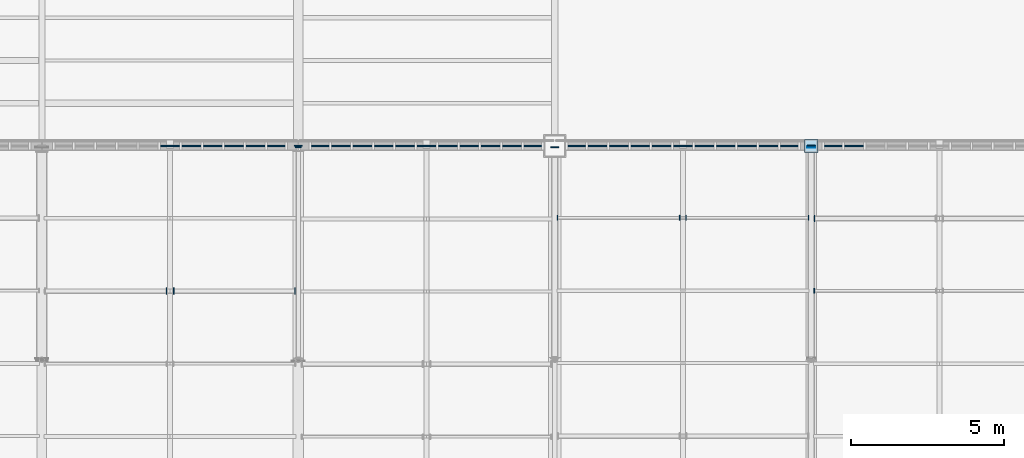
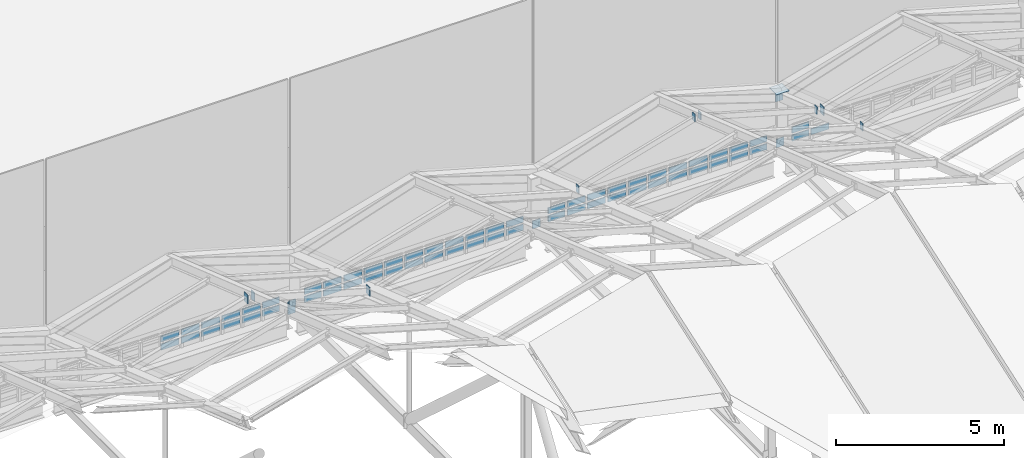
# One storey, part 67 of 77: 74 plates, 4 elements without a shape of their own.
"""IFC4 building model written with IfcOpenShell, lengths in metres."""

from ifc_helpers import new_model, si_unit, direction, frame, origin, origin_2d, place, context, subcontext, project, spatial, rectangle, extrude, material, layer, layer_set, type_object, element, aggregate, save


model = new_model("IFC4")

# Units and contexts
model_context = context("Model", 3, precision=1e-05, world=origin(), true_north=direction((0.0, 1.0)))
body_context = subcontext(model_context, "Body", "Model", "MODEL_VIEW")
ifc_project = project(units=[si_unit("LENGTHUNIT", "METRE"), si_unit("AREAUNIT", "SQUARE_METRE"), si_unit("VOLUMEUNIT", "CUBIC_METRE"), si_unit("PLANEANGLEUNIT", "RADIAN"), si_unit("MASSUNIT", "GRAM", prefix="KILO")], contexts=[model_context])

# Site, building, storey
site_placement = place(None, origin())
site = spatial("IfcSite", under=ifc_project, at=site_placement, CompositionType="ELEMENT")
building_placement = place(site_placement, origin())
building = spatial("IfcBuilding", under=site, at=building_placement, Name="Larkvane Passage Sports Hall", CompositionType="ELEMENT")
storey_placement = place(building_placement, frame((0.0, 0.0, 22.199951171875)))
storey = spatial("IfcBuildingStorey", under=building, at=storey_placement, Name="RF", CompositionType="ELEMENT", Elevation=22.199951171875)

# Curtain wall, plates
ifc_material_1 = material(Name="Thermally broken aluminium and low-E glazing", Category="aluminium")
curtain_wall_type = type_object("IfcCurtainWallType", Name="CW-CLER-N", PredefinedType="USERDEFINED", material=ifc_material_1)
curtain_wall_1_placement = place(storey_placement, origin())
curtain_wall_1 = element("IfcCurtainWall", 1, at=curtain_wall_1_placement, inside=storey, type_object=curtain_wall_type, Name="Curtain wall CW5-RF-CLER-4", ObjectType="STICK CURTAIN WALL", PredefinedType="USERDEFINED")
ifc_material_2 = material(Name="High-impact court low-E glazing", Category="glass")
ifc_layer_1 = layer(ifc_material_2, 0.035888671875)
ifc_layer_set_1 = layer_set([ifc_layer_1], Name="High-impact court low-E glazing")
plate_type_1 = type_object("IfcPlateType", Name="CWP-VIS-36", PredefinedType="CURTAIN_PANEL", material=ifc_layer_set_1)
plate_1_placement = place(storey_placement, frame((67.679931640625, 75.60009765625, 0.0751953125), z_axis=(0.0, 0.0, 1.0), x_axis=(-1.0, 0.0, 0.0)))
plate_1 = element("IfcPlate", 2, at=plate_1_placement, type_object=plate_type_1, Name="CW-04 panel 1.1", PredefinedType="CURTAIN_PANEL", context=body_context, shape_type="SweptSolid", body=[
    extrude(rectangle(XDim=0.580078125, YDim=0.035888671875, at=origin_2d()), origin(), (0.0, 0.0, 1.0), 0.217529296875),
])
plate_2_placement = place(storey_placement, frame((67.679931640625, 75.60009765625, 0.36767578125), z_axis=(0.0, 0.0, 1.0), x_axis=(-1.0, 0.0, 0.0)))
plate_2 = element("IfcPlate", 3, at=plate_2_placement, type_object=plate_type_1, Name="CW-04 panel 1.2", PredefinedType="CURTAIN_PANEL", context=body_context, shape_type="SweptSolid", body=[
    extrude(rectangle(XDim=0.580078125, YDim=0.035888671875, at=origin_2d()), origin(), (0.0, 0.0, 1.0), 0.217529296875),
])
plate_3_placement = place(storey_placement, frame((67.0, 75.60009765625, 0.0751953125), z_axis=(0.0, 0.0, 1.0), x_axis=(-1.0, 0.0, 0.0)))
plate_3 = element("IfcPlate", 4, at=plate_3_placement, type_object=plate_type_1, Name="CW-04 panel 2.1", PredefinedType="CURTAIN_PANEL", context=body_context, shape_type="SweptSolid", body=[
    extrude(rectangle(XDim=0.6201171875, YDim=0.035888671875, at=origin_2d()), origin(), (0.0, 0.0, 1.0), 0.217529296875),
])
plate_4_placement = place(storey_placement, frame((67.0, 75.60009765625, 0.36767578125), z_axis=(0.0, 0.0, 1.0), x_axis=(-1.0, 0.0, 0.0)))
plate_4 = element("IfcPlate", 5, at=plate_4_placement, type_object=plate_type_1, Name="CW-04 panel 2.2", PredefinedType="CURTAIN_PANEL", context=body_context, shape_type="SweptSolid", body=[
    extrude(rectangle(XDim=0.6201171875, YDim=0.035888671875, at=origin_2d()), origin(), (0.0, 0.0, 1.0), 0.217529296875),
])
plate_5_placement = place(storey_placement, frame((66.300048828125, 75.60009765625, 0.0751953125), z_axis=(0.0, 0.0, 1.0), x_axis=(-1.0, 0.0, 0.0)))
plate_5 = element("IfcPlate", 6, at=plate_5_placement, type_object=plate_type_1, Name="CW-04 panel 3.1", PredefinedType="CURTAIN_PANEL", context=body_context, shape_type="SweptSolid", body=[
    extrude(rectangle(XDim=0.6201171875, YDim=0.035888671875, at=origin_2d()), origin(), (0.0, 0.0, 1.0), 0.217529296875),
])
plate_6_placement = place(storey_placement, frame((66.300048828125, 75.60009765625, 0.36767578125), z_axis=(0.0, 0.0, 1.0), x_axis=(-1.0, 0.0, 0.0)))
plate_6 = element("IfcPlate", 7, at=plate_6_placement, type_object=plate_type_1, Name="CW-04 panel 3.2", PredefinedType="CURTAIN_PANEL", context=body_context, shape_type="SweptSolid", body=[
    extrude(rectangle(XDim=0.6201171875, YDim=0.035888671875, at=origin_2d()), origin(), (0.0, 0.0, 1.0), 0.217529296875),
])
plate_7_placement = place(storey_placement, frame((65.60009765625, 75.60009765625, 0.0751953125), z_axis=(0.0, 0.0, 1.0), x_axis=(-1.0, 0.0, 0.0)))
plate_7 = element("IfcPlate", 8, at=plate_7_placement, type_object=plate_type_1, Name="CW-04 panel 4.1", PredefinedType="CURTAIN_PANEL", context=body_context, shape_type="SweptSolid", body=[
    extrude(rectangle(XDim=0.6201171875, YDim=0.035888671875, at=origin_2d()), origin(), (0.0, 0.0, 1.0), 0.217529296875),
])
plate_8_placement = place(storey_placement, frame((65.60009765625, 75.60009765625, 0.36767578125), z_axis=(0.0, 0.0, 1.0), x_axis=(-1.0, 0.0, 0.0)))
plate_8 = element("IfcPlate", 9, at=plate_8_placement, type_object=plate_type_1, Name="CW-04 panel 4.2", PredefinedType="CURTAIN_PANEL", context=body_context, shape_type="SweptSolid", body=[
    extrude(rectangle(XDim=0.6201171875, YDim=0.035888671875, at=origin_2d()), origin(), (0.0, 0.0, 1.0), 0.217529296875),
])
plate_9_placement = place(storey_placement, frame((64.89990234375, 75.60009765625, 0.0751953125), z_axis=(0.0, 0.0, 1.0), x_axis=(-1.0, 0.0, 0.0)))
plate_9 = element("IfcPlate", 10, at=plate_9_placement, type_object=plate_type_1, Name="CW-04 panel 5.1", PredefinedType="CURTAIN_PANEL", context=body_context, shape_type="SweptSolid", body=[
    extrude(rectangle(XDim=0.6201171875, YDim=0.035888671875, at=origin_2d()), origin(), (0.0, 0.0, 1.0), 0.217529296875),
])
plate_10_placement = place(storey_placement, frame((64.89990234375, 75.60009765625, 0.36767578125), z_axis=(0.0, 0.0, 1.0), x_axis=(-1.0, 0.0, 0.0)))
plate_10 = element("IfcPlate", 11, at=plate_10_placement, type_object=plate_type_1, Name="CW-04 panel 5.2", PredefinedType="CURTAIN_PANEL", context=body_context, shape_type="SweptSolid", body=[
    extrude(rectangle(XDim=0.6201171875, YDim=0.035888671875, at=origin_2d()), origin(), (0.0, 0.0, 1.0), 0.217529296875),
])
plate_11_placement = place(storey_placement, frame((64.199951171875, 75.60009765625, 0.0751953125), z_axis=(0.0, 0.0, 1.0), x_axis=(-1.0, 0.0, 0.0)))
plate_11 = element("IfcPlate", 12, at=plate_11_placement, type_object=plate_type_1, Name="CW-04 panel 6.1", PredefinedType="CURTAIN_PANEL", context=body_context, shape_type="SweptSolid", body=[
    extrude(rectangle(XDim=0.6201171875, YDim=0.035888671875, at=origin_2d()), origin(), (0.0, 0.0, 1.0), 0.217529296875),
])
plate_12_placement = place(storey_placement, frame((64.199951171875, 75.60009765625, 0.36767578125), z_axis=(0.0, 0.0, 1.0), x_axis=(-1.0, 0.0, 0.0)))
plate_12 = element("IfcPlate", 13, at=plate_12_placement, type_object=plate_type_1, Name="CW-04 panel 6.2", PredefinedType="CURTAIN_PANEL", context=body_context, shape_type="SweptSolid", body=[
    extrude(rectangle(XDim=0.6201171875, YDim=0.035888671875, at=origin_2d()), origin(), (0.0, 0.0, 1.0), 0.217529296875),
])
aggregate(curtain_wall_1, [plate_1, plate_2, plate_3, plate_4, plate_5, plate_6, plate_7, plate_8, plate_9, plate_10, plate_11, plate_12])

curtain_wall_2_placement = place(storey_placement, origin())
curtain_wall_2 = element("IfcCurtainWall", 14, at=curtain_wall_2_placement, inside=storey, type_object=curtain_wall_type, Name="Curtain wall CW5-RF-CLER-5", ObjectType="STICK CURTAIN WALL", PredefinedType="USERDEFINED")
plate_13_placement = place(storey_placement, frame((76.080078125, 75.60009765625, 0.0751953125), z_axis=(0.0, 0.0, 1.0), x_axis=(-1.0, 0.0, 0.0)))
plate_13 = element("IfcPlate", 15, at=plate_13_placement, type_object=plate_type_1, Name="CW-04 panel 1.1", PredefinedType="CURTAIN_PANEL", context=body_context, shape_type="SweptSolid", body=[
    extrude(rectangle(XDim=0.580078125, YDim=0.035888671875, at=origin_2d()), origin(), (0.0, 0.0, 1.0), 0.217529296875),
])
plate_14_placement = place(storey_placement, frame((76.080078125, 75.60009765625, 0.36767578125), z_axis=(0.0, 0.0, 1.0), x_axis=(-1.0, 0.0, 0.0)))
plate_14 = element("IfcPlate", 16, at=plate_14_placement, type_object=plate_type_1, Name="CW-04 panel 1.2", PredefinedType="CURTAIN_PANEL", context=body_context, shape_type="SweptSolid", body=[
    extrude(rectangle(XDim=0.580078125, YDim=0.035888671875, at=origin_2d()), origin(), (0.0, 0.0, 1.0), 0.217529296875),
])
plate_15_placement = place(storey_placement, frame((75.39990234375, 75.60009765625, 0.0751953125), z_axis=(0.0, 0.0, 1.0), x_axis=(-1.0, 0.0, 0.0)))
plate_15 = element("IfcPlate", 17, at=plate_15_placement, type_object=plate_type_1, Name="CW-04 panel 2.1", PredefinedType="CURTAIN_PANEL", context=body_context, shape_type="SweptSolid", body=[
    extrude(rectangle(XDim=0.6201171875, YDim=0.035888671875, at=origin_2d()), origin(), (0.0, 0.0, 1.0), 0.217529296875),
])
plate_16_placement = place(storey_placement, frame((75.39990234375, 75.60009765625, 0.36767578125), z_axis=(0.0, 0.0, 1.0), x_axis=(-1.0, 0.0, 0.0)))
plate_16 = element("IfcPlate", 18, at=plate_16_placement, type_object=plate_type_1, Name="CW-04 panel 2.2", PredefinedType="CURTAIN_PANEL", context=body_context, shape_type="SweptSolid", body=[
    extrude(rectangle(XDim=0.6201171875, YDim=0.035888671875, at=origin_2d()), origin(), (0.0, 0.0, 1.0), 0.217529296875),
])
plate_17_placement = place(storey_placement, frame((74.699951171875, 75.60009765625, 0.0751953125), z_axis=(0.0, 0.0, 1.0), x_axis=(-1.0, 0.0, 0.0)))
plate_17 = element("IfcPlate", 19, at=plate_17_placement, type_object=plate_type_1, Name="CW-04 panel 3.1", PredefinedType="CURTAIN_PANEL", context=body_context, shape_type="SweptSolid", body=[
    extrude(rectangle(XDim=0.6201171875, YDim=0.035888671875, at=origin_2d()), origin(), (0.0, 0.0, 1.0), 0.217529296875),
])
plate_18_placement = place(storey_placement, frame((74.699951171875, 75.60009765625, 0.36767578125), z_axis=(0.0, 0.0, 1.0), x_axis=(-1.0, 0.0, 0.0)))
plate_18 = element("IfcPlate", 20, at=plate_18_placement, type_object=plate_type_1, Name="CW-04 panel 3.2", PredefinedType="CURTAIN_PANEL", context=body_context, shape_type="SweptSolid", body=[
    extrude(rectangle(XDim=0.6201171875, YDim=0.035888671875, at=origin_2d()), origin(), (0.0, 0.0, 1.0), 0.217529296875),
])
plate_19_placement = place(storey_placement, frame((74.0, 75.60009765625, 0.0751953125), z_axis=(0.0, 0.0, 1.0), x_axis=(-1.0, 0.0, 0.0)))
plate_19 = element("IfcPlate", 21, at=plate_19_placement, type_object=plate_type_1, Name="CW-04 panel 4.1", PredefinedType="CURTAIN_PANEL", context=body_context, shape_type="SweptSolid", body=[
    extrude(rectangle(XDim=0.6201171875, YDim=0.035888671875, at=origin_2d()), origin(), (0.0, 0.0, 1.0), 0.217529296875),
])
plate_20_placement = place(storey_placement, frame((74.0, 75.60009765625, 0.36767578125), z_axis=(0.0, 0.0, 1.0), x_axis=(-1.0, 0.0, 0.0)))
plate_20 = element("IfcPlate", 22, at=plate_20_placement, type_object=plate_type_1, Name="CW-04 panel 4.2", PredefinedType="CURTAIN_PANEL", context=body_context, shape_type="SweptSolid", body=[
    extrude(rectangle(XDim=0.6201171875, YDim=0.035888671875, at=origin_2d()), origin(), (0.0, 0.0, 1.0), 0.217529296875),
])
plate_21_placement = place(storey_placement, frame((73.300048828125, 75.60009765625, 0.0751953125), z_axis=(0.0, 0.0, 1.0), x_axis=(-1.0, 0.0, 0.0)))
plate_21 = element("IfcPlate", 23, at=plate_21_placement, type_object=plate_type_1, Name="CW-04 panel 5.1", PredefinedType="CURTAIN_PANEL", context=body_context, shape_type="SweptSolid", body=[
    extrude(rectangle(XDim=0.6201171875, YDim=0.035888671875, at=origin_2d()), origin(), (0.0, 0.0, 1.0), 0.217529296875),
])
plate_22_placement = place(storey_placement, frame((73.300048828125, 75.60009765625, 0.36767578125), z_axis=(0.0, 0.0, 1.0), x_axis=(-1.0, 0.0, 0.0)))
plate_22 = element("IfcPlate", 24, at=plate_22_placement, type_object=plate_type_1, Name="CW-04 panel 5.2", PredefinedType="CURTAIN_PANEL", context=body_context, shape_type="SweptSolid", body=[
    extrude(rectangle(XDim=0.6201171875, YDim=0.035888671875, at=origin_2d()), origin(), (0.0, 0.0, 1.0), 0.217529296875),
])
plate_23_placement = place(storey_placement, frame((72.60009765625, 75.60009765625, 0.0751953125), z_axis=(0.0, 0.0, 1.0), x_axis=(-1.0, 0.0, 0.0)))
plate_23 = element("IfcPlate", 25, at=plate_23_placement, type_object=plate_type_1, Name="CW-04 panel 6.1", PredefinedType="CURTAIN_PANEL", context=body_context, shape_type="SweptSolid", body=[
    extrude(rectangle(XDim=0.6201171875, YDim=0.035888671875, at=origin_2d()), origin(), (0.0, 0.0, 1.0), 0.217529296875),
])
plate_24_placement = place(storey_placement, frame((72.60009765625, 75.60009765625, 0.36767578125), z_axis=(0.0, 0.0, 1.0), x_axis=(-1.0, 0.0, 0.0)))
plate_24 = element("IfcPlate", 26, at=plate_24_placement, type_object=plate_type_1, Name="CW-04 panel 6.2", PredefinedType="CURTAIN_PANEL", context=body_context, shape_type="SweptSolid", body=[
    extrude(rectangle(XDim=0.6201171875, YDim=0.035888671875, at=origin_2d()), origin(), (0.0, 0.0, 1.0), 0.217529296875),
])
plate_25_placement = place(storey_placement, frame((71.89990234375, 75.60009765625, 0.0751953125), z_axis=(0.0, 0.0, 1.0), x_axis=(-1.0, 0.0, 0.0)))
plate_25 = element("IfcPlate", 27, at=plate_25_placement, type_object=plate_type_1, Name="CW-04 panel 7.1", PredefinedType="CURTAIN_PANEL", context=body_context, shape_type="SweptSolid", body=[
    extrude(rectangle(XDim=0.6201171875, YDim=0.035888671875, at=origin_2d()), origin(), (0.0, 0.0, 1.0), 0.217529296875),
])
plate_26_placement = place(storey_placement, frame((71.89990234375, 75.60009765625, 0.36767578125), z_axis=(0.0, 0.0, 1.0), x_axis=(-1.0, 0.0, 0.0)))
plate_26 = element("IfcPlate", 28, at=plate_26_placement, type_object=plate_type_1, Name="CW-04 panel 7.2", PredefinedType="CURTAIN_PANEL", context=body_context, shape_type="SweptSolid", body=[
    extrude(rectangle(XDim=0.6201171875, YDim=0.035888671875, at=origin_2d()), origin(), (0.0, 0.0, 1.0), 0.217529296875),
])
plate_27_placement = place(storey_placement, frame((71.199951171875, 75.60009765625, 0.0751953125), z_axis=(0.0, 0.0, 1.0), x_axis=(-1.0, 0.0, 0.0)))
plate_27 = element("IfcPlate", 29, at=plate_27_placement, type_object=plate_type_1, Name="CW-04 panel 8.1", PredefinedType="CURTAIN_PANEL", context=body_context, shape_type="SweptSolid", body=[
    extrude(rectangle(XDim=0.6201171875, YDim=0.035888671875, at=origin_2d()), origin(), (0.0, 0.0, 1.0), 0.217529296875),
])
plate_28_placement = place(storey_placement, frame((71.199951171875, 75.60009765625, 0.36767578125), z_axis=(0.0, 0.0, 1.0), x_axis=(-1.0, 0.0, 0.0)))
plate_28 = element("IfcPlate", 30, at=plate_28_placement, type_object=plate_type_1, Name="CW-04 panel 8.2", PredefinedType="CURTAIN_PANEL", context=body_context, shape_type="SweptSolid", body=[
    extrude(rectangle(XDim=0.6201171875, YDim=0.035888671875, at=origin_2d()), origin(), (0.0, 0.0, 1.0), 0.217529296875),
])
plate_29_placement = place(storey_placement, frame((70.5, 75.60009765625, 0.0751953125), z_axis=(0.0, 0.0, 1.0), x_axis=(-1.0, 0.0, 0.0)))
plate_29 = element("IfcPlate", 31, at=plate_29_placement, type_object=plate_type_1, Name="CW-04 panel 9.1", PredefinedType="CURTAIN_PANEL", context=body_context, shape_type="SweptSolid", body=[
    extrude(rectangle(XDim=0.6201171875, YDim=0.035888671875, at=origin_2d()), origin(), (0.0, 0.0, 1.0), 0.217529296875),
])
plate_30_placement = place(storey_placement, frame((70.5, 75.60009765625, 0.36767578125), z_axis=(0.0, 0.0, 1.0), x_axis=(-1.0, 0.0, 0.0)))
plate_30 = element("IfcPlate", 32, at=plate_30_placement, type_object=plate_type_1, Name="CW-04 panel 9.2", PredefinedType="CURTAIN_PANEL", context=body_context, shape_type="SweptSolid", body=[
    extrude(rectangle(XDim=0.6201171875, YDim=0.035888671875, at=origin_2d()), origin(), (0.0, 0.0, 1.0), 0.217529296875),
])
plate_31_placement = place(storey_placement, frame((69.800048828125, 75.60009765625, 0.0751953125), z_axis=(0.0, 0.0, 1.0), x_axis=(-1.0, 0.0, 0.0)))
plate_31 = element("IfcPlate", 33, at=plate_31_placement, type_object=plate_type_1, Name="CW-04 panel 10.1", PredefinedType="CURTAIN_PANEL", context=body_context, shape_type="SweptSolid", body=[
    extrude(rectangle(XDim=0.6201171875, YDim=0.035888671875, at=origin_2d()), origin(), (0.0, 0.0, 1.0), 0.217529296875),
])
plate_32_placement = place(storey_placement, frame((69.800048828125, 75.60009765625, 0.36767578125), z_axis=(0.0, 0.0, 1.0), x_axis=(-1.0, 0.0, 0.0)))
plate_32 = element("IfcPlate", 34, at=plate_32_placement, type_object=plate_type_1, Name="CW-04 panel 10.2", PredefinedType="CURTAIN_PANEL", context=body_context, shape_type="SweptSolid", body=[
    extrude(rectangle(XDim=0.6201171875, YDim=0.035888671875, at=origin_2d()), origin(), (0.0, 0.0, 1.0), 0.217529296875),
])
plate_33_placement = place(storey_placement, frame((69.1201171875, 75.60009765625, 0.0751953125), z_axis=(0.0, 0.0, 1.0), x_axis=(-1.0, 0.0, 0.0)))
plate_33 = element("IfcPlate", 35, at=plate_33_placement, type_object=plate_type_1, Name="CW-04 panel 11.1", PredefinedType="CURTAIN_PANEL", context=body_context, shape_type="SweptSolid", body=[
    extrude(rectangle(XDim=0.580078125, YDim=0.035888671875, at=origin_2d()), origin(), (0.0, 0.0, 1.0), 0.217529296875),
])
plate_34_placement = place(storey_placement, frame((69.1201171875, 75.60009765625, 0.36767578125), z_axis=(0.0, 0.0, 1.0), x_axis=(-1.0, 0.0, 0.0)))
plate_34 = element("IfcPlate", 36, at=plate_34_placement, type_object=plate_type_1, Name="CW-04 panel 11.2", PredefinedType="CURTAIN_PANEL", context=body_context, shape_type="SweptSolid", body=[
    extrude(rectangle(XDim=0.580078125, YDim=0.035888671875, at=origin_2d()), origin(), (0.0, 0.0, 1.0), 0.217529296875),
])
aggregate(curtain_wall_2, [plate_13, plate_14, plate_15, plate_16, plate_17, plate_18, plate_19, plate_20, plate_21, plate_22, plate_23, plate_24, plate_25, plate_26, plate_27, plate_28, plate_29, plate_30, plate_31, plate_32, plate_33, plate_34])

curtain_wall_3_placement = place(storey_placement, origin())
curtain_wall_3 = element("IfcCurtainWall", 37, at=curtain_wall_3_placement, inside=storey, type_object=curtain_wall_type, Name="Curtain wall CW5-RF-CLER-6", ObjectType="STICK CURTAIN WALL", PredefinedType="USERDEFINED")
plate_35_placement = place(storey_placement, frame((84.47998046875, 75.60009765625, 0.0751953125), z_axis=(0.0, 0.0, 1.0), x_axis=(-1.0, 0.0, 0.0)))
plate_35 = element("IfcPlate", 38, at=plate_35_placement, type_object=plate_type_1, Name="CW-04 panel 1.1", PredefinedType="CURTAIN_PANEL", context=body_context, shape_type="SweptSolid", body=[
    extrude(rectangle(XDim=0.580078125, YDim=0.035888671875, at=origin_2d()), origin(), (0.0, 0.0, 1.0), 0.217529296875),
])
plate_36_placement = place(storey_placement, frame((84.47998046875, 75.60009765625, 0.36767578125), z_axis=(0.0, 0.0, 1.0), x_axis=(-1.0, 0.0, 0.0)))
plate_36 = element("IfcPlate", 39, at=plate_36_placement, type_object=plate_type_1, Name="CW-04 panel 1.2", PredefinedType="CURTAIN_PANEL", context=body_context, shape_type="SweptSolid", body=[
    extrude(rectangle(XDim=0.580078125, YDim=0.035888671875, at=origin_2d()), origin(), (0.0, 0.0, 1.0), 0.217529296875),
])
plate_37_placement = place(storey_placement, frame((83.800048828125, 75.60009765625, 0.0751953125), z_axis=(0.0, 0.0, 1.0), x_axis=(-1.0, 0.0, 0.0)))
plate_37 = element("IfcPlate", 40, at=plate_37_placement, type_object=plate_type_1, Name="CW-04 panel 2.1", PredefinedType="CURTAIN_PANEL", context=body_context, shape_type="SweptSolid", body=[
    extrude(rectangle(XDim=0.6201171875, YDim=0.035888671875, at=origin_2d()), origin(), (0.0, 0.0, 1.0), 0.217529296875),
])
plate_38_placement = place(storey_placement, frame((83.800048828125, 75.60009765625, 0.36767578125), z_axis=(0.0, 0.0, 1.0), x_axis=(-1.0, 0.0, 0.0)))
plate_38 = element("IfcPlate", 41, at=plate_38_placement, type_object=plate_type_1, Name="CW-04 panel 2.2", PredefinedType="CURTAIN_PANEL", context=body_context, shape_type="SweptSolid", body=[
    extrude(rectangle(XDim=0.6201171875, YDim=0.035888671875, at=origin_2d()), origin(), (0.0, 0.0, 1.0), 0.217529296875),
])
plate_39_placement = place(storey_placement, frame((83.10009765625, 75.60009765625, 0.0751953125), z_axis=(0.0, 0.0, 1.0), x_axis=(-1.0, 0.0, 0.0)))
plate_39 = element("IfcPlate", 42, at=plate_39_placement, type_object=plate_type_1, Name="CW-04 panel 3.1", PredefinedType="CURTAIN_PANEL", context=body_context, shape_type="SweptSolid", body=[
    extrude(rectangle(XDim=0.6201171875, YDim=0.035888671875, at=origin_2d()), origin(), (0.0, 0.0, 1.0), 0.217529296875),
])
plate_40_placement = place(storey_placement, frame((83.10009765625, 75.60009765625, 0.36767578125), z_axis=(0.0, 0.0, 1.0), x_axis=(-1.0, 0.0, 0.0)))
plate_40 = element("IfcPlate", 43, at=plate_40_placement, type_object=plate_type_1, Name="CW-04 panel 3.2", PredefinedType="CURTAIN_PANEL", context=body_context, shape_type="SweptSolid", body=[
    extrude(rectangle(XDim=0.6201171875, YDim=0.035888671875, at=origin_2d()), origin(), (0.0, 0.0, 1.0), 0.217529296875),
])
plate_41_placement = place(storey_placement, frame((82.39990234375, 75.60009765625, 0.0751953125), z_axis=(0.0, 0.0, 1.0), x_axis=(-1.0, 0.0, 0.0)))
plate_41 = element("IfcPlate", 44, at=plate_41_placement, type_object=plate_type_1, Name="CW-04 panel 4.1", PredefinedType="CURTAIN_PANEL", context=body_context, shape_type="SweptSolid", body=[
    extrude(rectangle(XDim=0.6201171875, YDim=0.035888671875, at=origin_2d()), origin(), (0.0, 0.0, 1.0), 0.217529296875),
])
plate_42_placement = place(storey_placement, frame((82.39990234375, 75.60009765625, 0.36767578125), z_axis=(0.0, 0.0, 1.0), x_axis=(-1.0, 0.0, 0.0)))
plate_42 = element("IfcPlate", 45, at=plate_42_placement, type_object=plate_type_1, Name="CW-04 panel 4.2", PredefinedType="CURTAIN_PANEL", context=body_context, shape_type="SweptSolid", body=[
    extrude(rectangle(XDim=0.6201171875, YDim=0.035888671875, at=origin_2d()), origin(), (0.0, 0.0, 1.0), 0.217529296875),
])
plate_43_placement = place(storey_placement, frame((81.699951171875, 75.60009765625, 0.0751953125), z_axis=(0.0, 0.0, 1.0), x_axis=(-1.0, 0.0, 0.0)))
plate_43 = element("IfcPlate", 46, at=plate_43_placement, type_object=plate_type_1, Name="CW-04 panel 5.1", PredefinedType="CURTAIN_PANEL", context=body_context, shape_type="SweptSolid", body=[
    extrude(rectangle(XDim=0.6201171875, YDim=0.035888671875, at=origin_2d()), origin(), (0.0, 0.0, 1.0), 0.217529296875),
])
plate_44_placement = place(storey_placement, frame((81.699951171875, 75.60009765625, 0.36767578125), z_axis=(0.0, 0.0, 1.0), x_axis=(-1.0, 0.0, 0.0)))
plate_44 = element("IfcPlate", 47, at=plate_44_placement, type_object=plate_type_1, Name="CW-04 panel 5.2", PredefinedType="CURTAIN_PANEL", context=body_context, shape_type="SweptSolid", body=[
    extrude(rectangle(XDim=0.6201171875, YDim=0.035888671875, at=origin_2d()), origin(), (0.0, 0.0, 1.0), 0.217529296875),
])
plate_45_placement = place(storey_placement, frame((81.0, 75.60009765625, 0.0751953125), z_axis=(0.0, 0.0, 1.0), x_axis=(-1.0, 0.0, 0.0)))
plate_45 = element("IfcPlate", 48, at=plate_45_placement, type_object=plate_type_1, Name="CW-04 panel 6.1", PredefinedType="CURTAIN_PANEL", context=body_context, shape_type="SweptSolid", body=[
    extrude(rectangle(XDim=0.6201171875, YDim=0.035888671875, at=origin_2d()), origin(), (0.0, 0.0, 1.0), 0.217529296875),
])
plate_46_placement = place(storey_placement, frame((81.0, 75.60009765625, 0.36767578125), z_axis=(0.0, 0.0, 1.0), x_axis=(-1.0, 0.0, 0.0)))
plate_46 = element("IfcPlate", 49, at=plate_46_placement, type_object=plate_type_1, Name="CW-04 panel 6.2", PredefinedType="CURTAIN_PANEL", context=body_context, shape_type="SweptSolid", body=[
    extrude(rectangle(XDim=0.6201171875, YDim=0.035888671875, at=origin_2d()), origin(), (0.0, 0.0, 1.0), 0.217529296875),
])
plate_47_placement = place(storey_placement, frame((80.300048828125, 75.60009765625, 0.0751953125), z_axis=(0.0, 0.0, 1.0), x_axis=(-1.0, 0.0, 0.0)))
plate_47 = element("IfcPlate", 50, at=plate_47_placement, type_object=plate_type_1, Name="CW-04 panel 7.1", PredefinedType="CURTAIN_PANEL", context=body_context, shape_type="SweptSolid", body=[
    extrude(rectangle(XDim=0.6201171875, YDim=0.035888671875, at=origin_2d()), origin(), (0.0, 0.0, 1.0), 0.217529296875),
])
plate_48_placement = place(storey_placement, frame((80.300048828125, 75.60009765625, 0.36767578125), z_axis=(0.0, 0.0, 1.0), x_axis=(-1.0, 0.0, 0.0)))
plate_48 = element("IfcPlate", 51, at=plate_48_placement, type_object=plate_type_1, Name="CW-04 panel 7.2", PredefinedType="CURTAIN_PANEL", context=body_context, shape_type="SweptSolid", body=[
    extrude(rectangle(XDim=0.6201171875, YDim=0.035888671875, at=origin_2d()), origin(), (0.0, 0.0, 1.0), 0.217529296875),
])
plate_49_placement = place(storey_placement, frame((79.60009765625, 75.60009765625, 0.0751953125), z_axis=(0.0, 0.0, 1.0), x_axis=(-1.0, 0.0, 0.0)))
plate_49 = element("IfcPlate", 52, at=plate_49_placement, type_object=plate_type_1, Name="CW-04 panel 8.1", PredefinedType="CURTAIN_PANEL", context=body_context, shape_type="SweptSolid", body=[
    extrude(rectangle(XDim=0.6201171875, YDim=0.035888671875, at=origin_2d()), origin(), (0.0, 0.0, 1.0), 0.217529296875),
])
plate_50_placement = place(storey_placement, frame((79.60009765625, 75.60009765625, 0.36767578125), z_axis=(0.0, 0.0, 1.0), x_axis=(-1.0, 0.0, 0.0)))
plate_50 = element("IfcPlate", 53, at=plate_50_placement, type_object=plate_type_1, Name="CW-04 panel 8.2", PredefinedType="CURTAIN_PANEL", context=body_context, shape_type="SweptSolid", body=[
    extrude(rectangle(XDim=0.6201171875, YDim=0.035888671875, at=origin_2d()), origin(), (0.0, 0.0, 1.0), 0.217529296875),
])
plate_51_placement = place(storey_placement, frame((78.89990234375, 75.60009765625, 0.0751953125), z_axis=(0.0, 0.0, 1.0), x_axis=(-1.0, 0.0, 0.0)))
plate_51 = element("IfcPlate", 54, at=plate_51_placement, type_object=plate_type_1, Name="CW-04 panel 9.1", PredefinedType="CURTAIN_PANEL", context=body_context, shape_type="SweptSolid", body=[
    extrude(rectangle(XDim=0.6201171875, YDim=0.035888671875, at=origin_2d()), origin(), (0.0, 0.0, 1.0), 0.217529296875),
])
plate_52_placement = place(storey_placement, frame((78.89990234375, 75.60009765625, 0.36767578125), z_axis=(0.0, 0.0, 1.0), x_axis=(-1.0, 0.0, 0.0)))
plate_52 = element("IfcPlate", 55, at=plate_52_placement, type_object=plate_type_1, Name="CW-04 panel 9.2", PredefinedType="CURTAIN_PANEL", context=body_context, shape_type="SweptSolid", body=[
    extrude(rectangle(XDim=0.6201171875, YDim=0.035888671875, at=origin_2d()), origin(), (0.0, 0.0, 1.0), 0.217529296875),
])
plate_53_placement = place(storey_placement, frame((78.199951171875, 75.60009765625, 0.0751953125), z_axis=(0.0, 0.0, 1.0), x_axis=(-1.0, 0.0, 0.0)))
plate_53 = element("IfcPlate", 56, at=plate_53_placement, type_object=plate_type_1, Name="CW-04 panel 10.1", PredefinedType="CURTAIN_PANEL", context=body_context, shape_type="SweptSolid", body=[
    extrude(rectangle(XDim=0.6201171875, YDim=0.035888671875, at=origin_2d()), origin(), (0.0, 0.0, 1.0), 0.217529296875),
])
plate_54_placement = place(storey_placement, frame((78.199951171875, 75.60009765625, 0.36767578125), z_axis=(0.0, 0.0, 1.0), x_axis=(-1.0, 0.0, 0.0)))
plate_54 = element("IfcPlate", 57, at=plate_54_placement, type_object=plate_type_1, Name="CW-04 panel 10.2", PredefinedType="CURTAIN_PANEL", context=body_context, shape_type="SweptSolid", body=[
    extrude(rectangle(XDim=0.6201171875, YDim=0.035888671875, at=origin_2d()), origin(), (0.0, 0.0, 1.0), 0.217529296875),
])
plate_55_placement = place(storey_placement, frame((77.52001953125, 75.60009765625, 0.0751953125), z_axis=(0.0, 0.0, 1.0), x_axis=(-1.0, 0.0, 0.0)))
plate_55 = element("IfcPlate", 58, at=plate_55_placement, type_object=plate_type_1, Name="CW-04 panel 11.1", PredefinedType="CURTAIN_PANEL", context=body_context, shape_type="SweptSolid", body=[
    extrude(rectangle(XDim=0.580078125, YDim=0.035888671875, at=origin_2d()), origin(), (0.0, 0.0, 1.0), 0.217529296875),
])
plate_56_placement = place(storey_placement, frame((77.52001953125, 75.60009765625, 0.36767578125), z_axis=(0.0, 0.0, 1.0), x_axis=(-1.0, 0.0, 0.0)))
plate_56 = element("IfcPlate", 59, at=plate_56_placement, type_object=plate_type_1, Name="CW-04 panel 11.2", PredefinedType="CURTAIN_PANEL", context=body_context, shape_type="SweptSolid", body=[
    extrude(rectangle(XDim=0.580078125, YDim=0.035888671875, at=origin_2d()), origin(), (0.0, 0.0, 1.0), 0.217529296875),
])
aggregate(curtain_wall_3, [plate_35, plate_36, plate_37, plate_38, plate_39, plate_40, plate_41, plate_42, plate_43, plate_44, plate_45, plate_46, plate_47, plate_48, plate_49, plate_50, plate_51, plate_52, plate_53, plate_54, plate_55, plate_56])

curtain_wall_4_placement = place(storey_placement, origin())
curtain_wall_4 = element("IfcCurtainWall", 60, at=curtain_wall_4_placement, inside=storey, type_object=curtain_wall_type, Name="Curtain wall CW5-RF-CLER-7", ObjectType="STICK CURTAIN WALL", PredefinedType="USERDEFINED")
plate_57_placement = place(storey_placement, frame((86.60009765625, 75.60009765625, 0.0751953125), z_axis=(0.0, 0.0, 1.0), x_axis=(-1.0, 0.0, 0.0)))
plate_57 = element("IfcPlate", 61, at=plate_57_placement, type_object=plate_type_1, Name="CW-04 panel 10.1", PredefinedType="CURTAIN_PANEL", context=body_context, shape_type="SweptSolid", body=[
    extrude(rectangle(XDim=0.6201171875, YDim=0.035888671875, at=origin_2d()), origin(), (0.0, 0.0, 1.0), 0.217529296875),
])
plate_58_placement = place(storey_placement, frame((85.919921875, 75.60009765625, 0.0751953125), z_axis=(0.0, 0.0, 1.0), x_axis=(-1.0, 0.0, 0.0)))
plate_58 = element("IfcPlate", 62, at=plate_58_placement, type_object=plate_type_1, Name="CW-04 panel 11.1", PredefinedType="CURTAIN_PANEL", context=body_context, shape_type="SweptSolid", body=[
    extrude(rectangle(XDim=0.580078125, YDim=0.035888671875, at=origin_2d()), origin(), (0.0, 0.0, 1.0), 0.217529296875),
])
plate_59_placement = place(storey_placement, frame((85.919921875, 75.60009765625, 0.36767578125), z_axis=(0.0, 0.0, 1.0), x_axis=(-1.0, 0.0, 0.0)))
plate_59 = element("IfcPlate", 63, at=plate_59_placement, type_object=plate_type_1, Name="CW-04 panel 11.2", PredefinedType="CURTAIN_PANEL", context=body_context, shape_type="SweptSolid", body=[
    extrude(rectangle(XDim=0.580078125, YDim=0.035888671875, at=origin_2d()), origin(), (0.0, 0.0, 1.0), 0.217529296875),
])
aggregate(curtain_wall_4, [plate_57, plate_58, plate_59])

# Plates
ifc_material_3 = material(Name="Steel S355JR", Category="steel")
ifc_layer_2 = layer(ifc_material_3, 0.011962890625)
ifc_layer_set_2 = layer_set([ifc_layer_2], Name="Steel S355JR")
plate_type_2 = type_object("IfcPlateType", Name="PLT-CAP-12", PredefinedType="SHEET", material=ifc_layer_set_2)
plate_60_placement = place(storey_placement, frame((68.39990234375, 75.55517578125, 0.12109375), z_axis=(0.0, 0.0, 1.0), x_axis=(-1.0, 0.0, 0.0)))
element("IfcPlate", 64, at=plate_60_placement, inside=storey, type_object=plate_type_2, Name="Hollow section sealed end cap plate 0304", PredefinedType="SHEET", context=body_context, shape_type="SweptSolid", body=[
    extrude(rectangle(XDim=0.2099609375, YDim=0.028076171875, at=origin_2d()), origin(), (0.0, 0.0, 1.0), 0.23193359375),
])
plate_61_placement = place(storey_placement, frame((76.800048828125, 75.55517578125, 0.0419921875), z_axis=(0.0, 0.0, 1.0), x_axis=(-1.0, 0.0, 0.0)))
element("IfcPlate", 65, at=plate_61_placement, inside=storey, type_object=plate_type_2, Name="Hollow section sealed end cap plate 0318", PredefinedType="SHEET", context=body_context, shape_type="SweptSolid", body=[
    extrude(rectangle(XDim=0.260009765625, YDim=0.028076171875, at=origin_2d()), origin(), (0.0, 0.0, 1.0), 0.2900390625),
])
plate_62_placement = place(storey_placement, frame((85.199951171875, 75.55517578125, 0.0576171875), z_axis=(0.0, 0.0, 1.0), x_axis=(-1.0, 0.0, 0.0)))
element("IfcPlate", 66, at=plate_62_placement, inside=storey, type_object=plate_type_2, Name="Hollow section sealed end cap plate 0339", PredefinedType="SHEET", context=body_context, shape_type="SweptSolid", body=[
    extrude(rectangle(XDim=0.27587890625, YDim=0.028076171875, at=origin_2d()), origin(), (0.0, 0.0, 1.0), 0.30908203125),
])
for number, where, z_axis, x_axis, name in (
    (67, (64.318115234375, 70.845458984375, 4.6328125), (0.0, 0.0, 1.0), (0.0, 1.0, 0.0), "Hollow section sealed end cap plate 0460"),
    (68, (64.08203125, 70.845458984375, 4.6328125), (0.0, 0.0, 1.0), (0.0, 1.0, 0.0), "Hollow section sealed end cap plate 0463"),
    (69, (68.293701171875, 70.845458984375, 3.4296875), (0.0, 0.0, 1.0), (0.0, 1.0, 0.0), "Hollow section sealed end cap plate 0464"),
):
    element("IfcPlate", number, at=place(storey_placement, frame(where, z_axis=z_axis, x_axis=x_axis)), inside=storey, type_object=plate_type_2, Name=name, PredefinedType="SHEET", context=body_context, shape_type="SweptSolid", body=[
        extrude(rectangle(XDim=0.2099609375, YDim=0.028076171875, at=origin_2d()), origin(), (0.0, 0.0, 1.0), 0.320068359375),
    ])
for number, where, z_axis, x_axis, name in (
    (70, (76.889404296875, 73.24560546875, 2.698974609375), (0.0, 0.0, 1.0), (0.0, 1.0, 0.0), "Hollow section sealed end cap plate 0497"),
    (71, (81.10107421875, 73.24560546875, 3.90234375), (0.0, 0.0, 1.0), (0.0, 1.0, 0.0), "Hollow section sealed end cap plate 0498"),
    (72, (80.89892578125, 73.24560546875, 3.90234375), (0.0, 0.0, 1.0), (0.0, 1.0, 0.0), "Hollow section sealed end cap plate 0503"),
    (73, (85.110595703125, 73.24560546875, 2.698974609375), (0.0, 0.0, 1.0), (0.0, 1.0, 0.0), "Hollow section sealed end cap plate 0504"),
    (74, (85.2998046875, 70.853271484375, 3.478515625), (0.0, 0.0, 1.0), (0.0, 1.0, 0.0), "Hollow section sealed end cap plate 0519"),
):
    element("IfcPlate", number, at=place(storey_placement, frame(where, z_axis=z_axis, x_axis=x_axis)), inside=storey, type_object=plate_type_2, Name=name, PredefinedType="SHEET", context=body_context, shape_type="SweptSolid", body=[
        extrude(rectangle(XDim=0.159912109375, YDim=0.028076171875, at=origin_2d()), origin(), (0.0, 0.0, 1.0), 0.26806640625),
    ])
plate_63_placement = place(storey_placement, frame((85.306396484375, 73.225341796875, 2.61376953125), z_axis=(0.0, 0.0, 1.0), x_axis=(0.0, 1.0, 0.0)))
element("IfcPlate", 75, at=plate_63_placement, inside=storey, type_object=plate_type_2, Name="Hollow section sealed end cap plate 0521", PredefinedType="SHEET", context=body_context, shape_type="SweptSolid", body=[
    extrude(rectangle(XDim=0.2099609375, YDim=0.028076171875, at=origin_2d()), origin(), (0.0, 0.0, 1.0), 0.320068359375),
])
ifc_material_4 = material(Name="Steel S460N", Category="steel")
ifc_layer_3 = layer(ifc_material_4, 0.02001953125)
ifc_layer_set_3 = layer_set([ifc_layer_3], Name="Steel S460N")
plate_type_3 = type_object("IfcPlateType", Name="PLT-CAP-20", PredefinedType="SHEET", material=ifc_layer_set_3)
plate_64_placement = place(storey_placement, frame((68.39990234375, 75.610107421875, -0.179931640625), z_axis=(0.0, 0.0, 1.0), x_axis=(-1.0, 0.0, 0.0)))
element("IfcPlate", 76, at=plate_64_placement, inside=storey, type_object=plate_type_3, Name="Hollow section sealed end cap plate 0292", PredefinedType="SHEET", context=body_context, shape_type="SweptSolid", body=[
    extrude(rectangle(XDim=0.260009765625, YDim=0.028076171875, at=origin_2d()), origin(), (0.0, 0.0, 1.0), 0.4599609375),
])
plate_65_placement = place(storey_placement, frame((85.199951171875, 75.60009765625, 2.10009765625), z_axis=(0.0, 0.0, 1.0), x_axis=(1.0, 0.0, 0.0)))
element("IfcPlate", 77, at=plate_65_placement, inside=storey, type_object=plate_type_3, Name="Hollow section sealed end cap plate 0320", PredefinedType="SHEET", context=body_context, shape_type="SweptSolid", body=[
    extrude(rectangle(XDim=0.43994140625, YDim=0.43994140625, at=origin_2d()), origin(), (0.0, 0.0, 1.0), 0.02001953125),
])
plate_66_placement = place(storey_placement, frame((85.199951171875, 75.609619140625, 1.6884765625), z_axis=(0.0, 0.0, 1.0), x_axis=(-1.0, 0.0, 0.0)))
element("IfcPlate", 78, at=plate_66_placement, inside=storey, type_object=plate_type_3, Name="Hollow section sealed end cap plate 0337", PredefinedType="SHEET", context=body_context, shape_type="SweptSolid", body=[
    extrude(rectangle(XDim=0.260009765625, YDim=0.028076171875, at=origin_2d()), origin(), (0.0, 0.0, 1.0), 0.376953125),
])

save(model, "model.ifc")
